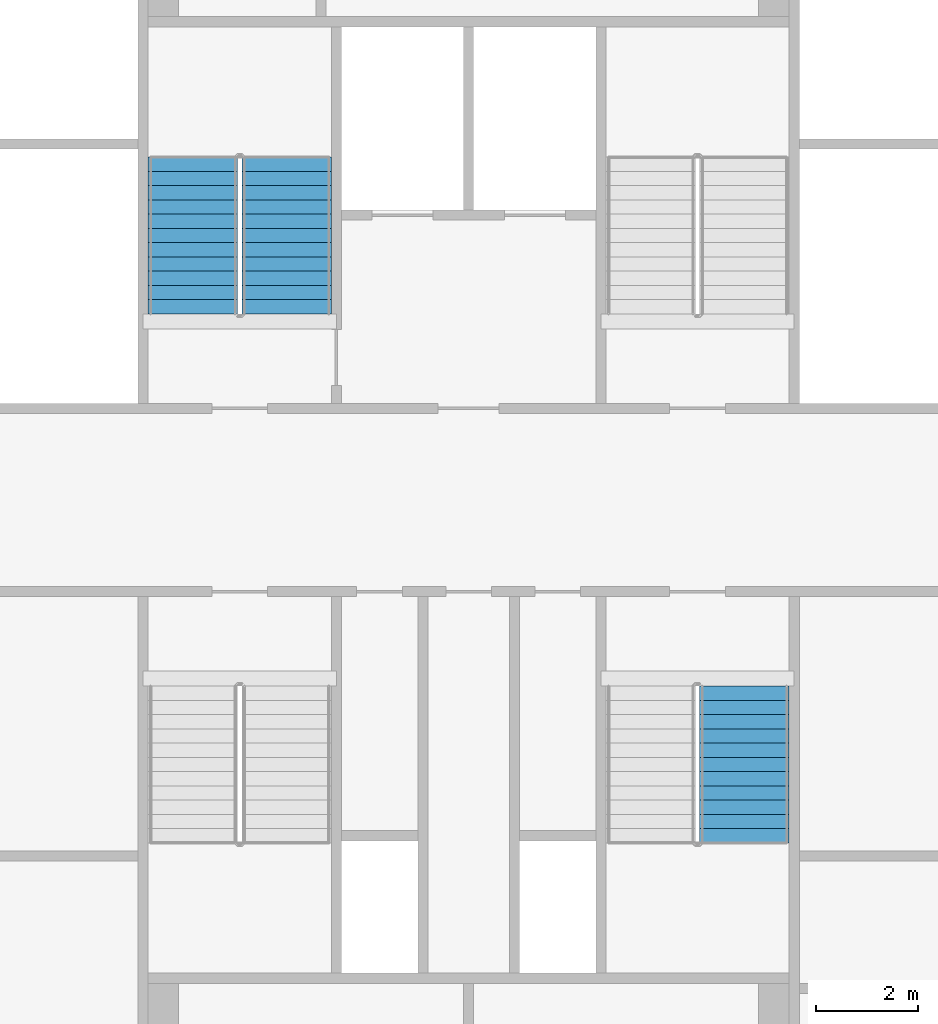
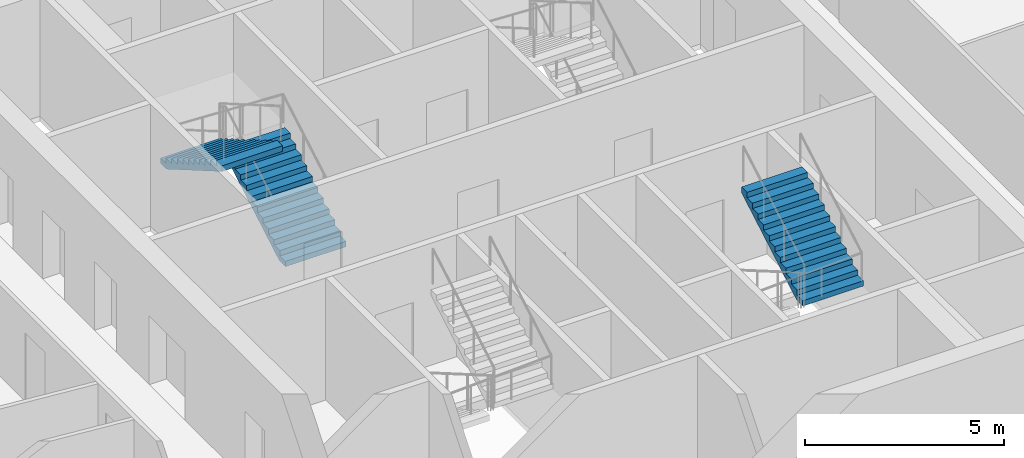
# One storey, part 16 of 22: 3 stair flights, 2 elements without a shape of their own.
"""IFC4 building model written with IfcOpenShell, lengths in metres."""

from ifc_helpers import new_model, si_unit, direction, frame, origin, place, context, subcontext, project, spatial, faceted_brep, material, type_object, element, aggregate, save


model = new_model("IFC4")

# Units and contexts
model_context = context("Model", 3, precision=1e-05, world=origin(), true_north=direction((0.0, 1.0)))
body_context = subcontext(model_context, "Body", "Model", "MODEL_VIEW")
ifc_project = project(units=[si_unit("LENGTHUNIT", "METRE"), si_unit("AREAUNIT", "SQUARE_METRE"), si_unit("VOLUMEUNIT", "CUBIC_METRE"), si_unit("PLANEANGLEUNIT", "RADIAN"), si_unit("MASSUNIT", "GRAM", prefix="KILO")], contexts=[model_context])

# Site, building, storey
site_placement = place(None, origin())
site = spatial("IfcSite", under=ifc_project, at=site_placement, CompositionType="ELEMENT")
building_placement = place(site_placement, origin())
building = spatial("IfcBuilding", under=site, at=building_placement, Name="Tarsis Ring Headquarters", CompositionType="ELEMENT")
storey_placement = place(building_placement, frame((0.0, 0.0, 263.0)))
storey = spatial("IfcBuildingStorey", under=building, at=storey_placement, Name="L61", CompositionType="ELEMENT", Elevation=263.0)

# Stair, stair flights
ifc_material_1 = material(Name="Core stair 1760")
stair_type = type_object("IfcStairType", Name="Core stair 1760", PredefinedType="HALF_TURN_STAIR", material=ifc_material_1)
stair_1_placement = place(storey_placement, origin())
stair_1 = element("IfcStair", 1, at=stair_1_placement, inside=storey, type_object=stair_type, Name="L61 Firefighting stair", PredefinedType="HALF_TURN_STAIR")
ifc_material_2 = material(Name="Concrete C40/50", Category="concrete")
stair_flight_type = type_object("IfcStairFlightType", Name="Core stair flight 1760", PredefinedType="STRAIGHT", material=ifc_material_2)
stair_flight_1_placement = place(storey_placement, frame((-3.580078125, 3.659912109375, 0.0), z_axis=(0.0, 0.0, 1.0), x_axis=(0.0, 1.0, 0.0)))
stair_flight_1 = element("IfcStairFlight", 2, at=stair_flight_1_placement, type_object=stair_flight_type, Name="Stair ST1 flight 1", NumberOfRisers=12, NumberOfTreads=11, PredefinedType="STRAIGHT", RiserHeight=0.1625, TreadLength=0.28, context=body_context, shape_type="Brep", body=[
    faceted_brep([(0.0, 0.8798828125, 0.0), (0.0, 0.8798828125, 0.16259765625), (0.280029296875, 0.8798828125, 0.16259765625), (0.280029296875, 0.8798828125, 0.324951171875), (0.56005859375, 0.8798828125, 0.324951171875), (0.56005859375, 0.8798828125, 0.487548828125), (0.840087890625, 0.8798828125, 0.487548828125), (0.840087890625, 0.8798828125, 0.64990234375), (1.1201171875, 0.8798828125, 0.64990234375), (1.1201171875, 0.8798828125, 0.8125), (1.39990234375, 0.8798828125, 0.8125), (1.39990234375, 0.8798828125, 0.97509765625), (1.679931640625, 0.8798828125, 0.97509765625), (1.679931640625, 0.8798828125, 1.137451171875), (1.9599609375, 0.8798828125, 1.137451171875), (1.9599609375, 0.8798828125, 1.300048828125), (2.239990234375, 0.8798828125, 1.300048828125), (2.239990234375, 0.8798828125, 1.46240234375), (2.52001953125, 0.8798828125, 1.46240234375), (2.52001953125, 0.8798828125, 1.625), (2.800048828125, 0.8798828125, 1.625), (2.800048828125, 0.8798828125, 1.78759765625), (3.080078125, 0.8798828125, 1.78759765625), (3.080078125, 0.8798828125, 1.6142578125), (0.298583984375, 0.8798828125, 0.0), (0.298583984375, -0.8798828125, 0.0), (3.080078125, -0.8798828125, 1.6142578125), (3.080078125, -0.8798828125, 1.78759765625), (2.800048828125, -0.8798828125, 1.78759765625), (2.800048828125, -0.8798828125, 1.625), (2.52001953125, -0.8798828125, 1.625), (2.52001953125, -0.8798828125, 1.46240234375), (2.239990234375, -0.8798828125, 1.46240234375), (2.239990234375, -0.8798828125, 1.300048828125), (1.9599609375, -0.8798828125, 1.300048828125), (1.9599609375, -0.8798828125, 1.137451171875), (1.679931640625, -0.8798828125, 1.137451171875), (1.679931640625, -0.8798828125, 0.97509765625), (1.39990234375, -0.8798828125, 0.97509765625), (1.39990234375, -0.8798828125, 0.8125), (1.1201171875, -0.8798828125, 0.8125), (1.1201171875, -0.8798828125, 0.64990234375), (0.840087890625, -0.8798828125, 0.64990234375), (0.840087890625, -0.8798828125, 0.487548828125), (0.56005859375, -0.8798828125, 0.487548828125), (0.56005859375, -0.8798828125, 0.324951171875), (0.280029296875, -0.8798828125, 0.324951171875), (0.280029296875, -0.8798828125, 0.16259765625), (0.0, -0.8798828125, 0.16259765625), (0.0, -0.8798828125, 0.0), (0.0, -0.43994140625, 0.16259765625), (0.0, -0.43994140625, 0.0), (0.0, 0.0, 0.16259765625), (0.0, 0.0, 0.0), (0.0, 0.43994140625, 0.16259765625), (0.0, 0.43994140625, 0.0), (0.280029296875, -0.43994140625, 0.16259765625), (0.280029296875, 0.0, 0.16259765625), (0.280029296875, 0.43994140625, 0.16259765625), (0.280029296875, -0.43994140625, 0.324951171875), (0.280029296875, 0.0, 0.324951171875), (0.280029296875, 0.43994140625, 0.324951171875), (0.56005859375, -0.43994140625, 0.324951171875), (0.56005859375, 0.0, 0.324951171875), (0.56005859375, 0.43994140625, 0.324951171875), (0.56005859375, -0.43994140625, 0.487548828125), (0.56005859375, 0.0, 0.487548828125), (0.56005859375, 0.43994140625, 0.487548828125), (0.840087890625, -0.43994140625, 0.487548828125), (0.840087890625, 0.0, 0.487548828125), (0.840087890625, 0.43994140625, 0.487548828125), (0.840087890625, -0.43994140625, 0.64990234375), (0.840087890625, 0.0, 0.64990234375), (0.840087890625, 0.43994140625, 0.64990234375), (1.1201171875, -0.43994140625, 0.64990234375), (1.1201171875, 0.0, 0.64990234375), (1.1201171875, 0.43994140625, 0.64990234375), (1.1201171875, -0.43994140625, 0.8125), (1.1201171875, 0.0, 0.8125), (1.1201171875, 0.43994140625, 0.8125), (1.39990234375, -0.43994140625, 0.8125), (1.39990234375, 0.0, 0.8125), (1.39990234375, 0.43994140625, 0.8125), (1.39990234375, -0.43994140625, 0.97509765625), (1.39990234375, 0.0, 0.97509765625), (1.39990234375, 0.43994140625, 0.97509765625), (1.679931640625, -0.43994140625, 0.97509765625), (1.679931640625, 0.0, 0.97509765625), (1.679931640625, 0.43994140625, 0.97509765625), (1.679931640625, -0.43994140625, 1.137451171875), (1.679931640625, 0.0, 1.137451171875), (1.679931640625, 0.43994140625, 1.137451171875), (1.9599609375, -0.43994140625, 1.137451171875), (1.9599609375, 0.0, 1.137451171875), (1.9599609375, 0.43994140625, 1.137451171875), (1.9599609375, -0.43994140625, 1.300048828125), (1.9599609375, 0.0, 1.300048828125), (1.9599609375, 0.43994140625, 1.300048828125), (2.239990234375, -0.43994140625, 1.300048828125), (2.239990234375, 0.0, 1.300048828125), (2.239990234375, 0.43994140625, 1.300048828125), (2.239990234375, -0.43994140625, 1.46240234375), (2.239990234375, 0.0, 1.46240234375), (2.239990234375, 0.43994140625, 1.46240234375), (2.52001953125, -0.43994140625, 1.46240234375), (2.52001953125, 0.0, 1.46240234375), (2.52001953125, 0.43994140625, 1.46240234375), (2.52001953125, -0.43994140625, 1.625), (2.52001953125, 0.0, 1.625), (2.52001953125, 0.43994140625, 1.625), (2.800048828125, -0.43994140625, 1.625), (2.800048828125, 0.0, 1.625), (2.800048828125, 0.43994140625, 1.625), (2.800048828125, -0.43994140625, 1.78759765625), (2.800048828125, 0.0, 1.78759765625), (2.800048828125, 0.43994140625, 1.78759765625), (3.080078125, -0.43994140625, 1.78759765625), (3.080078125, 0.0, 1.78759765625), (3.080078125, 0.43994140625, 1.78759765625), (3.080078125, -0.43994140625, 1.6142578125), (3.080078125, 0.0, 1.6142578125), (3.080078125, 0.43994140625, 1.6142578125), (0.298583984375, -0.43994140625, 0.0), (0.298583984375, 0.0, 0.0), (0.298583984375, 0.43994140625, 0.0)], [[[0, 1, 2, 3, 4, 5, 6, 7, 8, 9, 10, 11, 12, 13, 14, 15, 16, 17, 18, 19, 20, 21, 22, 23, 24]], [[25, 26, 27, 28, 29, 30, 31, 32, 33, 34, 35, 36, 37, 38, 39, 40, 41, 42, 43, 44, 45, 46, 47, 48, 49]], [[49, 48, 50, 51]], [[51, 50, 52, 53]], [[53, 52, 54, 55]], [[55, 54, 1, 0]], [[48, 47, 56, 50]], [[50, 56, 57, 52]], [[52, 57, 58, 54]], [[54, 58, 2, 1]], [[47, 46, 59, 56]], [[56, 59, 60, 57]], [[57, 60, 61, 58]], [[58, 61, 3, 2]], [[46, 45, 62, 59]], [[59, 62, 63, 60]], [[60, 63, 64, 61]], [[61, 64, 4, 3]], [[45, 44, 65, 62]], [[62, 65, 66, 63]], [[63, 66, 67, 64]], [[64, 67, 5, 4]], [[44, 43, 68, 65]], [[65, 68, 69, 66]], [[66, 69, 70, 67]], [[67, 70, 6, 5]], [[43, 42, 71, 68]], [[68, 71, 72, 69]], [[69, 72, 73, 70]], [[70, 73, 7, 6]], [[42, 41, 74, 71]], [[71, 74, 75, 72]], [[72, 75, 76, 73]], [[73, 76, 8, 7]], [[41, 40, 77, 74]], [[74, 77, 78, 75]], [[75, 78, 79, 76]], [[76, 79, 9, 8]], [[40, 39, 80, 77]], [[77, 80, 81, 78]], [[78, 81, 82, 79]], [[79, 82, 10, 9]], [[39, 38, 83, 80]], [[80, 83, 84, 81]], [[81, 84, 85, 82]], [[82, 85, 11, 10]], [[38, 37, 86, 83]], [[83, 86, 87, 84]], [[84, 87, 88, 85]], [[85, 88, 12, 11]], [[37, 36, 89, 86]], [[86, 89, 90, 87]], [[87, 90, 91, 88]], [[88, 91, 13, 12]], [[36, 35, 92, 89]], [[89, 92, 93, 90]], [[90, 93, 94, 91]], [[91, 94, 14, 13]], [[35, 34, 95, 92]], [[92, 95, 96, 93]], [[93, 96, 97, 94]], [[94, 97, 15, 14]], [[34, 33, 98, 95]], [[95, 98, 99, 96]], [[96, 99, 100, 97]], [[97, 100, 16, 15]], [[33, 32, 101, 98]], [[98, 101, 102, 99]], [[99, 102, 103, 100]], [[100, 103, 17, 16]], [[32, 31, 104, 101]], [[101, 104, 105, 102]], [[102, 105, 106, 103]], [[103, 106, 18, 17]], [[31, 30, 107, 104]], [[104, 107, 108, 105]], [[105, 108, 109, 106]], [[106, 109, 19, 18]], [[30, 29, 110, 107]], [[107, 110, 111, 108]], [[108, 111, 112, 109]], [[109, 112, 20, 19]], [[29, 28, 113, 110]], [[110, 113, 114, 111]], [[111, 114, 115, 112]], [[112, 115, 21, 20]], [[28, 27, 116, 113]], [[113, 116, 117, 114]], [[114, 117, 118, 115]], [[115, 118, 22, 21]], [[27, 26, 119, 116]], [[116, 119, 120, 117]], [[117, 120, 121, 118]], [[118, 121, 23, 22]], [[26, 25, 122, 119]], [[119, 122, 123, 120]], [[120, 123, 124, 121]], [[121, 124, 24, 23]], [[25, 49, 51, 122]], [[122, 51, 53, 123]], [[123, 53, 55, 124]], [[124, 55, 0, 24]]]),
])
stair_flight_2_placement = place(storey_placement, frame((-5.419921875, 6.739990234375, 1.949951171875), z_axis=(0.0, 0.0, 1.0), x_axis=(0.0, -1.0, 0.0)))
stair_flight_2 = element("IfcStairFlight", 3, at=stair_flight_2_placement, type_object=stair_flight_type, Name="Stair ST1 flight 2", NumberOfRisers=12, NumberOfTreads=11, PredefinedType="STRAIGHT", RiserHeight=0.1625, TreadLength=0.28, context=body_context, shape_type="Brep", body=[
    faceted_brep([(0.0, 0.8798828125, 0.0), (0.0, 0.8798828125, 0.16259765625), (0.280029296875, 0.8798828125, 0.16259765625), (0.280029296875, 0.8798828125, 0.324951171875), (0.56005859375, 0.8798828125, 0.324951171875), (0.56005859375, 0.8798828125, 0.487548828125), (0.840087890625, 0.8798828125, 0.487548828125), (0.840087890625, 0.8798828125, 0.64990234375), (1.1201171875, 0.8798828125, 0.64990234375), (1.1201171875, 0.8798828125, 0.8125), (1.39990234375, 0.8798828125, 0.8125), (1.39990234375, 0.8798828125, 0.97509765625), (1.679931640625, 0.8798828125, 0.97509765625), (1.679931640625, 0.8798828125, 1.137451171875), (1.9599609375, 0.8798828125, 1.137451171875), (1.9599609375, 0.8798828125, 1.300048828125), (2.239990234375, 0.8798828125, 1.300048828125), (2.239990234375, 0.8798828125, 1.46240234375), (2.52001953125, 0.8798828125, 1.46240234375), (2.52001953125, 0.8798828125, 1.625), (2.800048828125, 0.8798828125, 1.625), (2.800048828125, 0.8798828125, 1.78759765625), (3.080078125, 0.8798828125, 1.78759765625), (3.080078125, 0.8798828125, 1.6142578125), (0.298583984375, 0.8798828125, 0.0), (0.298583984375, -0.8798828125, 0.0), (3.080078125, -0.8798828125, 1.6142578125), (3.080078125, -0.8798828125, 1.78759765625), (2.800048828125, -0.8798828125, 1.78759765625), (2.800048828125, -0.8798828125, 1.625), (2.52001953125, -0.8798828125, 1.625), (2.52001953125, -0.8798828125, 1.46240234375), (2.239990234375, -0.8798828125, 1.46240234375), (2.239990234375, -0.8798828125, 1.300048828125), (1.9599609375, -0.8798828125, 1.300048828125), (1.9599609375, -0.8798828125, 1.137451171875), (1.679931640625, -0.8798828125, 1.137451171875), (1.679931640625, -0.8798828125, 0.97509765625), (1.39990234375, -0.8798828125, 0.97509765625), (1.39990234375, -0.8798828125, 0.8125), (1.1201171875, -0.8798828125, 0.8125), (1.1201171875, -0.8798828125, 0.64990234375), (0.840087890625, -0.8798828125, 0.64990234375), (0.840087890625, -0.8798828125, 0.487548828125), (0.56005859375, -0.8798828125, 0.487548828125), (0.56005859375, -0.8798828125, 0.324951171875), (0.280029296875, -0.8798828125, 0.324951171875), (0.280029296875, -0.8798828125, 0.16259765625), (0.0, -0.8798828125, 0.16259765625), (0.0, -0.8798828125, 0.0), (0.0, -0.43994140625, 0.16259765625), (0.0, -0.43994140625, 0.0), (0.0, 0.0, 0.16259765625), (0.0, 0.0, 0.0), (0.0, 0.43994140625, 0.16259765625), (0.0, 0.43994140625, 0.0), (0.280029296875, -0.43994140625, 0.16259765625), (0.280029296875, 0.0, 0.16259765625), (0.280029296875, 0.43994140625, 0.16259765625), (0.280029296875, -0.43994140625, 0.324951171875), (0.280029296875, 0.0, 0.324951171875), (0.280029296875, 0.43994140625, 0.324951171875), (0.56005859375, -0.43994140625, 0.324951171875), (0.56005859375, 0.0, 0.324951171875), (0.56005859375, 0.43994140625, 0.324951171875), (0.56005859375, -0.43994140625, 0.487548828125), (0.56005859375, 0.0, 0.487548828125), (0.56005859375, 0.43994140625, 0.487548828125), (0.840087890625, -0.43994140625, 0.487548828125), (0.840087890625, 0.0, 0.487548828125), (0.840087890625, 0.43994140625, 0.487548828125), (0.840087890625, -0.43994140625, 0.64990234375), (0.840087890625, 0.0, 0.64990234375), (0.840087890625, 0.43994140625, 0.64990234375), (1.1201171875, -0.43994140625, 0.64990234375), (1.1201171875, 0.0, 0.64990234375), (1.1201171875, 0.43994140625, 0.64990234375), (1.1201171875, -0.43994140625, 0.8125), (1.1201171875, 0.0, 0.8125), (1.1201171875, 0.43994140625, 0.8125), (1.39990234375, -0.43994140625, 0.8125), (1.39990234375, 0.0, 0.8125), (1.39990234375, 0.43994140625, 0.8125), (1.39990234375, -0.43994140625, 0.97509765625), (1.39990234375, 0.0, 0.97509765625), (1.39990234375, 0.43994140625, 0.97509765625), (1.679931640625, -0.43994140625, 0.97509765625), (1.679931640625, 0.0, 0.97509765625), (1.679931640625, 0.43994140625, 0.97509765625), (1.679931640625, -0.43994140625, 1.137451171875), (1.679931640625, 0.0, 1.137451171875), (1.679931640625, 0.43994140625, 1.137451171875), (1.9599609375, -0.43994140625, 1.137451171875), (1.9599609375, 0.0, 1.137451171875), (1.9599609375, 0.43994140625, 1.137451171875), (1.9599609375, -0.43994140625, 1.300048828125), (1.9599609375, 0.0, 1.300048828125), (1.9599609375, 0.43994140625, 1.300048828125), (2.239990234375, -0.43994140625, 1.300048828125), (2.239990234375, 0.0, 1.300048828125), (2.239990234375, 0.43994140625, 1.300048828125), (2.239990234375, -0.43994140625, 1.46240234375), (2.239990234375, 0.0, 1.46240234375), (2.239990234375, 0.43994140625, 1.46240234375), (2.52001953125, -0.43994140625, 1.46240234375), (2.52001953125, 0.0, 1.46240234375), (2.52001953125, 0.43994140625, 1.46240234375), (2.52001953125, -0.43994140625, 1.625), (2.52001953125, 0.0, 1.625), (2.52001953125, 0.43994140625, 1.625), (2.800048828125, -0.43994140625, 1.625), (2.800048828125, 0.0, 1.625), (2.800048828125, 0.43994140625, 1.625), (2.800048828125, -0.43994140625, 1.78759765625), (2.800048828125, 0.0, 1.78759765625), (2.800048828125, 0.43994140625, 1.78759765625), (3.080078125, -0.43994140625, 1.78759765625), (3.080078125, 0.0, 1.78759765625), (3.080078125, 0.43994140625, 1.78759765625), (3.080078125, -0.43994140625, 1.6142578125), (3.080078125, 0.0, 1.6142578125), (3.080078125, 0.43994140625, 1.6142578125), (0.298583984375, -0.43994140625, 0.0), (0.298583984375, 0.0, 0.0), (0.298583984375, 0.43994140625, 0.0)], [[[0, 1, 2, 3, 4, 5, 6, 7, 8, 9, 10, 11, 12, 13, 14, 15, 16, 17, 18, 19, 20, 21, 22, 23, 24]], [[25, 26, 27, 28, 29, 30, 31, 32, 33, 34, 35, 36, 37, 38, 39, 40, 41, 42, 43, 44, 45, 46, 47, 48, 49]], [[49, 48, 50, 51]], [[51, 50, 52, 53]], [[53, 52, 54, 55]], [[55, 54, 1, 0]], [[48, 47, 56, 50]], [[50, 56, 57, 52]], [[52, 57, 58, 54]], [[54, 58, 2, 1]], [[47, 46, 59, 56]], [[56, 59, 60, 57]], [[57, 60, 61, 58]], [[58, 61, 3, 2]], [[46, 45, 62, 59]], [[59, 62, 63, 60]], [[60, 63, 64, 61]], [[61, 64, 4, 3]], [[45, 44, 65, 62]], [[62, 65, 66, 63]], [[63, 66, 67, 64]], [[64, 67, 5, 4]], [[44, 43, 68, 65]], [[65, 68, 69, 66]], [[66, 69, 70, 67]], [[67, 70, 6, 5]], [[43, 42, 71, 68]], [[68, 71, 72, 69]], [[69, 72, 73, 70]], [[70, 73, 7, 6]], [[42, 41, 74, 71]], [[71, 74, 75, 72]], [[72, 75, 76, 73]], [[73, 76, 8, 7]], [[41, 40, 77, 74]], [[74, 77, 78, 75]], [[75, 78, 79, 76]], [[76, 79, 9, 8]], [[40, 39, 80, 77]], [[77, 80, 81, 78]], [[78, 81, 82, 79]], [[79, 82, 10, 9]], [[39, 38, 83, 80]], [[80, 83, 84, 81]], [[81, 84, 85, 82]], [[82, 85, 11, 10]], [[38, 37, 86, 83]], [[83, 86, 87, 84]], [[84, 87, 88, 85]], [[85, 88, 12, 11]], [[37, 36, 89, 86]], [[86, 89, 90, 87]], [[87, 90, 91, 88]], [[88, 91, 13, 12]], [[36, 35, 92, 89]], [[89, 92, 93, 90]], [[90, 93, 94, 91]], [[91, 94, 14, 13]], [[35, 34, 95, 92]], [[92, 95, 96, 93]], [[93, 96, 97, 94]], [[94, 97, 15, 14]], [[34, 33, 98, 95]], [[95, 98, 99, 96]], [[96, 99, 100, 97]], [[97, 100, 16, 15]], [[33, 32, 101, 98]], [[98, 101, 102, 99]], [[99, 102, 103, 100]], [[100, 103, 17, 16]], [[32, 31, 104, 101]], [[101, 104, 105, 102]], [[102, 105, 106, 103]], [[103, 106, 18, 17]], [[31, 30, 107, 104]], [[104, 107, 108, 105]], [[105, 108, 109, 106]], [[106, 109, 19, 18]], [[30, 29, 110, 107]], [[107, 110, 111, 108]], [[108, 111, 112, 109]], [[109, 112, 20, 19]], [[29, 28, 113, 110]], [[110, 113, 114, 111]], [[111, 114, 115, 112]], [[112, 115, 21, 20]], [[28, 27, 116, 113]], [[113, 116, 117, 114]], [[114, 117, 118, 115]], [[115, 118, 22, 21]], [[27, 26, 119, 116]], [[116, 119, 120, 117]], [[117, 120, 121, 118]], [[118, 121, 23, 22]], [[26, 25, 122, 119]], [[119, 122, 123, 120]], [[120, 123, 124, 121]], [[121, 124, 24, 23]], [[25, 49, 51, 122]], [[122, 51, 53, 123]], [[123, 53, 55, 124]], [[124, 55, 0, 24]]]),
])
aggregate(stair_1, [stair_flight_1, stair_flight_2])

# Stair, stair flight
stair_2_placement = place(storey_placement, origin())
stair_2 = element("IfcStair", 4, at=stair_2_placement, inside=storey, type_object=stair_type, Name="L61 Exit stair D", PredefinedType="HALF_TURN_STAIR")
stair_flight_3_placement = place(storey_placement, frame((5.419921875, -6.739990234375, 1.949951171875), z_axis=(0.0, 0.0, 1.0), x_axis=(0.0, 1.0, 0.0)))
stair_flight_3 = element("IfcStairFlight", 5, at=stair_flight_3_placement, type_object=stair_flight_type, Name="Stair ST4 flight 2", NumberOfRisers=12, NumberOfTreads=11, PredefinedType="STRAIGHT", RiserHeight=0.1625, TreadLength=0.28, context=body_context, shape_type="Brep", body=[
    faceted_brep([(0.0, 0.8798828125, 0.0), (0.0, 0.8798828125, 0.16259765625), (0.280029296875, 0.8798828125, 0.16259765625), (0.280029296875, 0.8798828125, 0.324951171875), (0.56005859375, 0.8798828125, 0.324951171875), (0.56005859375, 0.8798828125, 0.487548828125), (0.840087890625, 0.8798828125, 0.487548828125), (0.840087890625, 0.8798828125, 0.64990234375), (1.1201171875, 0.8798828125, 0.64990234375), (1.1201171875, 0.8798828125, 0.8125), (1.39990234375, 0.8798828125, 0.8125), (1.39990234375, 0.8798828125, 0.97509765625), (1.679931640625, 0.8798828125, 0.97509765625), (1.679931640625, 0.8798828125, 1.137451171875), (1.9599609375, 0.8798828125, 1.137451171875), (1.9599609375, 0.8798828125, 1.300048828125), (2.239990234375, 0.8798828125, 1.300048828125), (2.239990234375, 0.8798828125, 1.46240234375), (2.52001953125, 0.8798828125, 1.46240234375), (2.52001953125, 0.8798828125, 1.625), (2.800048828125, 0.8798828125, 1.625), (2.800048828125, 0.8798828125, 1.78759765625), (3.080078125, 0.8798828125, 1.78759765625), (3.080078125, 0.8798828125, 1.6142578125), (0.298583984375, 0.8798828125, 0.0), (0.298583984375, -0.8798828125, 0.0), (3.080078125, -0.8798828125, 1.6142578125), (3.080078125, -0.8798828125, 1.78759765625), (2.800048828125, -0.8798828125, 1.78759765625), (2.800048828125, -0.8798828125, 1.625), (2.52001953125, -0.8798828125, 1.625), (2.52001953125, -0.8798828125, 1.46240234375), (2.239990234375, -0.8798828125, 1.46240234375), (2.239990234375, -0.8798828125, 1.300048828125), (1.9599609375, -0.8798828125, 1.300048828125), (1.9599609375, -0.8798828125, 1.137451171875), (1.679931640625, -0.8798828125, 1.137451171875), (1.679931640625, -0.8798828125, 0.97509765625), (1.39990234375, -0.8798828125, 0.97509765625), (1.39990234375, -0.8798828125, 0.8125), (1.1201171875, -0.8798828125, 0.8125), (1.1201171875, -0.8798828125, 0.64990234375), (0.840087890625, -0.8798828125, 0.64990234375), (0.840087890625, -0.8798828125, 0.487548828125), (0.56005859375, -0.8798828125, 0.487548828125), (0.56005859375, -0.8798828125, 0.324951171875), (0.280029296875, -0.8798828125, 0.324951171875), (0.280029296875, -0.8798828125, 0.16259765625), (0.0, -0.8798828125, 0.16259765625), (0.0, -0.8798828125, 0.0), (0.0, -0.43994140625, 0.16259765625), (0.0, -0.43994140625, 0.0), (0.0, 0.0, 0.16259765625), (0.0, 0.0, 0.0), (0.0, 0.43994140625, 0.16259765625), (0.0, 0.43994140625, 0.0), (0.280029296875, -0.43994140625, 0.16259765625), (0.280029296875, 0.0, 0.16259765625), (0.280029296875, 0.43994140625, 0.16259765625), (0.280029296875, -0.43994140625, 0.324951171875), (0.280029296875, 0.0, 0.324951171875), (0.280029296875, 0.43994140625, 0.324951171875), (0.56005859375, -0.43994140625, 0.324951171875), (0.56005859375, 0.0, 0.324951171875), (0.56005859375, 0.43994140625, 0.324951171875), (0.56005859375, -0.43994140625, 0.487548828125), (0.56005859375, 0.0, 0.487548828125), (0.56005859375, 0.43994140625, 0.487548828125), (0.840087890625, -0.43994140625, 0.487548828125), (0.840087890625, 0.0, 0.487548828125), (0.840087890625, 0.43994140625, 0.487548828125), (0.840087890625, -0.43994140625, 0.64990234375), (0.840087890625, 0.0, 0.64990234375), (0.840087890625, 0.43994140625, 0.64990234375), (1.1201171875, -0.43994140625, 0.64990234375), (1.1201171875, 0.0, 0.64990234375), (1.1201171875, 0.43994140625, 0.64990234375), (1.1201171875, -0.43994140625, 0.8125), (1.1201171875, 0.0, 0.8125), (1.1201171875, 0.43994140625, 0.8125), (1.39990234375, -0.43994140625, 0.8125), (1.39990234375, 0.0, 0.8125), (1.39990234375, 0.43994140625, 0.8125), (1.39990234375, -0.43994140625, 0.97509765625), (1.39990234375, 0.0, 0.97509765625), (1.39990234375, 0.43994140625, 0.97509765625), (1.679931640625, -0.43994140625, 0.97509765625), (1.679931640625, 0.0, 0.97509765625), (1.679931640625, 0.43994140625, 0.97509765625), (1.679931640625, -0.43994140625, 1.137451171875), (1.679931640625, 0.0, 1.137451171875), (1.679931640625, 0.43994140625, 1.137451171875), (1.9599609375, -0.43994140625, 1.137451171875), (1.9599609375, 0.0, 1.137451171875), (1.9599609375, 0.43994140625, 1.137451171875), (1.9599609375, -0.43994140625, 1.300048828125), (1.9599609375, 0.0, 1.300048828125), (1.9599609375, 0.43994140625, 1.300048828125), (2.239990234375, -0.43994140625, 1.300048828125), (2.239990234375, 0.0, 1.300048828125), (2.239990234375, 0.43994140625, 1.300048828125), (2.239990234375, -0.43994140625, 1.46240234375), (2.239990234375, 0.0, 1.46240234375), (2.239990234375, 0.43994140625, 1.46240234375), (2.52001953125, -0.43994140625, 1.46240234375), (2.52001953125, 0.0, 1.46240234375), (2.52001953125, 0.43994140625, 1.46240234375), (2.52001953125, -0.43994140625, 1.625), (2.52001953125, 0.0, 1.625), (2.52001953125, 0.43994140625, 1.625), (2.800048828125, -0.43994140625, 1.625), (2.800048828125, 0.0, 1.625), (2.800048828125, 0.43994140625, 1.625), (2.800048828125, -0.43994140625, 1.78759765625), (2.800048828125, 0.0, 1.78759765625), (2.800048828125, 0.43994140625, 1.78759765625), (3.080078125, -0.43994140625, 1.78759765625), (3.080078125, 0.0, 1.78759765625), (3.080078125, 0.43994140625, 1.78759765625), (3.080078125, -0.43994140625, 1.6142578125), (3.080078125, 0.0, 1.6142578125), (3.080078125, 0.43994140625, 1.6142578125), (0.298583984375, -0.43994140625, 0.0), (0.298583984375, 0.0, 0.0), (0.298583984375, 0.43994140625, 0.0)], [[[0, 1, 2, 3, 4, 5, 6, 7, 8, 9, 10, 11, 12, 13, 14, 15, 16, 17, 18, 19, 20, 21, 22, 23, 24]], [[25, 26, 27, 28, 29, 30, 31, 32, 33, 34, 35, 36, 37, 38, 39, 40, 41, 42, 43, 44, 45, 46, 47, 48, 49]], [[49, 48, 50, 51]], [[51, 50, 52, 53]], [[53, 52, 54, 55]], [[55, 54, 1, 0]], [[48, 47, 56, 50]], [[50, 56, 57, 52]], [[52, 57, 58, 54]], [[54, 58, 2, 1]], [[47, 46, 59, 56]], [[56, 59, 60, 57]], [[57, 60, 61, 58]], [[58, 61, 3, 2]], [[46, 45, 62, 59]], [[59, 62, 63, 60]], [[60, 63, 64, 61]], [[61, 64, 4, 3]], [[45, 44, 65, 62]], [[62, 65, 66, 63]], [[63, 66, 67, 64]], [[64, 67, 5, 4]], [[44, 43, 68, 65]], [[65, 68, 69, 66]], [[66, 69, 70, 67]], [[67, 70, 6, 5]], [[43, 42, 71, 68]], [[68, 71, 72, 69]], [[69, 72, 73, 70]], [[70, 73, 7, 6]], [[42, 41, 74, 71]], [[71, 74, 75, 72]], [[72, 75, 76, 73]], [[73, 76, 8, 7]], [[41, 40, 77, 74]], [[74, 77, 78, 75]], [[75, 78, 79, 76]], [[76, 79, 9, 8]], [[40, 39, 80, 77]], [[77, 80, 81, 78]], [[78, 81, 82, 79]], [[79, 82, 10, 9]], [[39, 38, 83, 80]], [[80, 83, 84, 81]], [[81, 84, 85, 82]], [[82, 85, 11, 10]], [[38, 37, 86, 83]], [[83, 86, 87, 84]], [[84, 87, 88, 85]], [[85, 88, 12, 11]], [[37, 36, 89, 86]], [[86, 89, 90, 87]], [[87, 90, 91, 88]], [[88, 91, 13, 12]], [[36, 35, 92, 89]], [[89, 92, 93, 90]], [[90, 93, 94, 91]], [[91, 94, 14, 13]], [[35, 34, 95, 92]], [[92, 95, 96, 93]], [[93, 96, 97, 94]], [[94, 97, 15, 14]], [[34, 33, 98, 95]], [[95, 98, 99, 96]], [[96, 99, 100, 97]], [[97, 100, 16, 15]], [[33, 32, 101, 98]], [[98, 101, 102, 99]], [[99, 102, 103, 100]], [[100, 103, 17, 16]], [[32, 31, 104, 101]], [[101, 104, 105, 102]], [[102, 105, 106, 103]], [[103, 106, 18, 17]], [[31, 30, 107, 104]], [[104, 107, 108, 105]], [[105, 108, 109, 106]], [[106, 109, 19, 18]], [[30, 29, 110, 107]], [[107, 110, 111, 108]], [[108, 111, 112, 109]], [[109, 112, 20, 19]], [[29, 28, 113, 110]], [[110, 113, 114, 111]], [[111, 114, 115, 112]], [[112, 115, 21, 20]], [[28, 27, 116, 113]], [[113, 116, 117, 114]], [[114, 117, 118, 115]], [[115, 118, 22, 21]], [[27, 26, 119, 116]], [[116, 119, 120, 117]], [[117, 120, 121, 118]], [[118, 121, 23, 22]], [[26, 25, 122, 119]], [[119, 122, 123, 120]], [[120, 123, 124, 121]], [[121, 124, 24, 23]], [[25, 49, 51, 122]], [[122, 51, 53, 123]], [[123, 53, 55, 124]], [[124, 55, 0, 24]]]),
])
aggregate(stair_2, [stair_flight_3])

save(model, "model.ifc")
